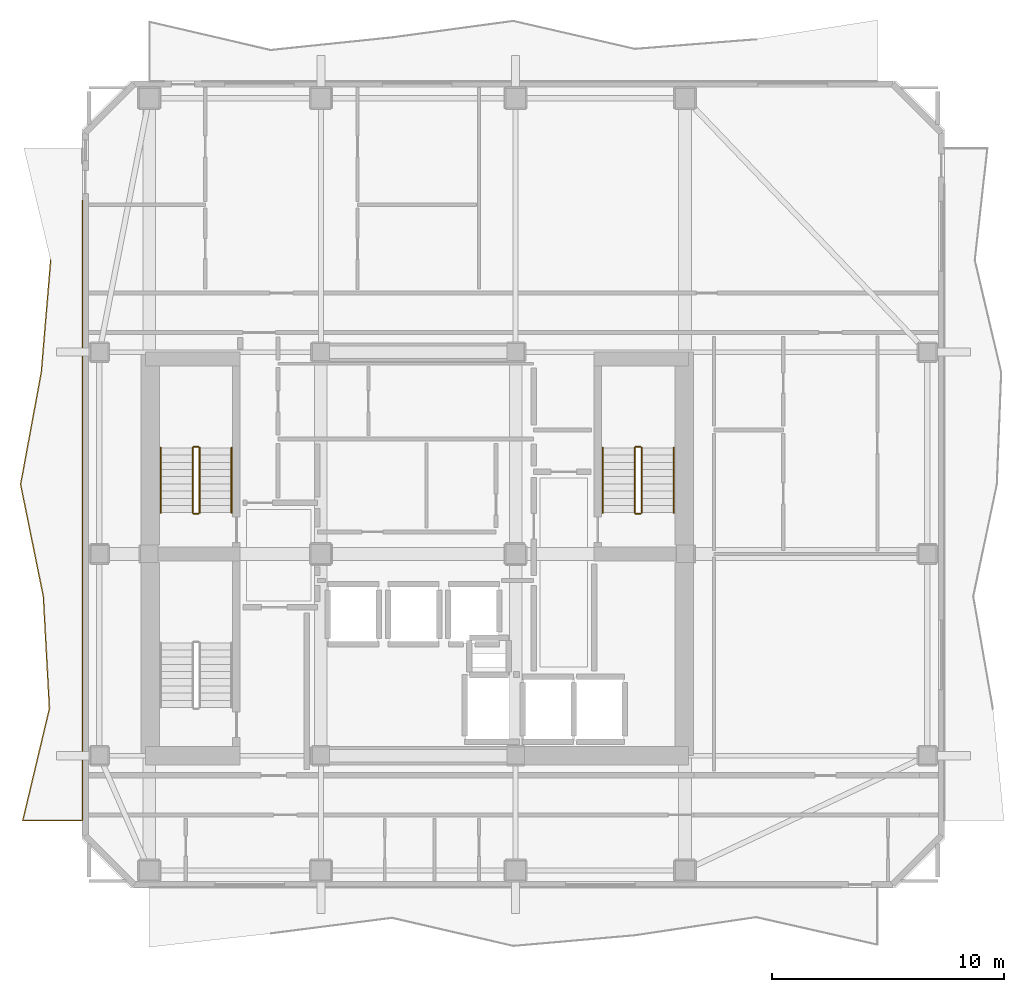
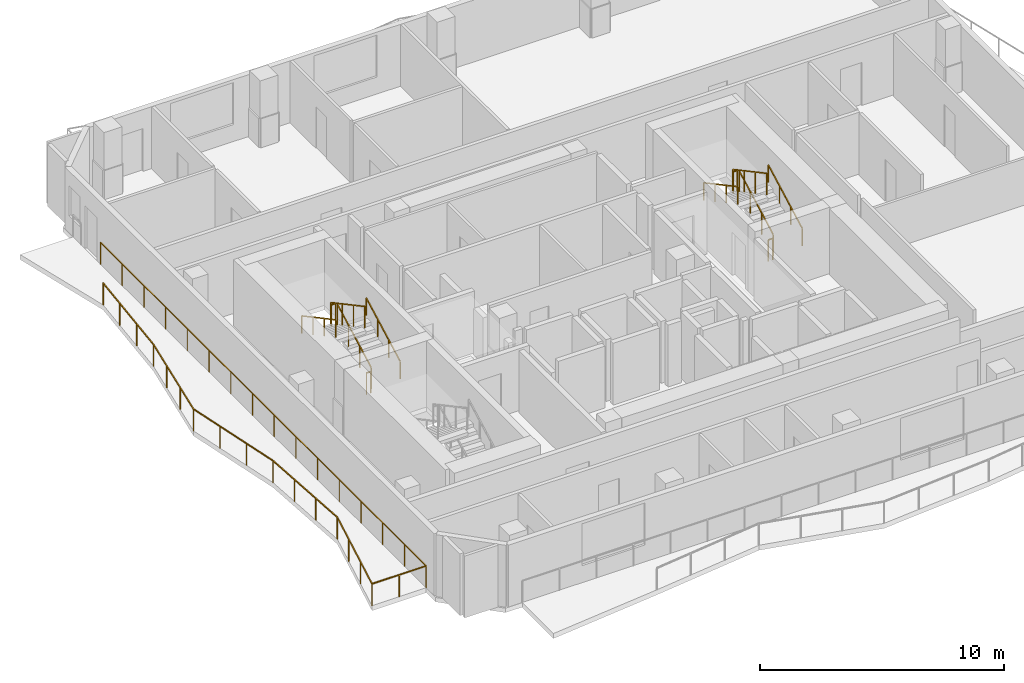
# One storey, part 8 of 9: 13 railings.
"""IFC4 building model written with IfcOpenShell, lengths in metres."""

from ifc_helpers import new_model, si_unit, direction, frame, origin, origin_2d, place, context, subcontext, project, spatial, rectangle, extrude, material, type_object, element, save


model = new_model("IFC4")

# Units and contexts
model_context = context("Model", 3, precision=1e-05, world=origin(), true_north=direction((0.0, 1.0)))
body_context = subcontext(model_context, "Body", "Model", "MODEL_VIEW")
ifc_project = project(units=[si_unit("LENGTHUNIT", "METRE"), si_unit("AREAUNIT", "SQUARE_METRE"), si_unit("VOLUMEUNIT", "CUBIC_METRE"), si_unit("PLANEANGLEUNIT", "RADIAN"), si_unit("MASSUNIT", "GRAM", prefix="KILO")], contexts=[model_context])

# Site, building, storey
site_placement = place(None, origin())
site = spatial("IfcSite", under=ifc_project, at=site_placement, CompositionType="ELEMENT")
building_placement = place(site_placement, origin())
building = spatial("IfcBuilding", under=site, at=building_placement, Name="Solanera Arch Residences", CompositionType="ELEMENT")
storey_placement = place(building_placement, frame((0.0, 0.0, 241.239990234375)))
storey = spatial("IfcBuildingStorey", under=building, at=storey_placement, Name="L70", CompositionType="ELEMENT", Elevation=241.239990234375)

# Railings
ifc_material_1 = material(Name="Steel S355 (ASTM A992 / A572 Grade 50)", Category="steel")
railing_type_1 = type_object("IfcRailingType", Name="Balustrade Railing BL-1100", PredefinedType="BALUSTRADE", material=ifc_material_1)
railing_1_placement = place(storey_placement, frame((9.14990234375, 43.366943359375, 0.0)))
element("IfcRailing", 1, at=railing_1_placement, inside=storey, type_object=railing_type_1, Name="L70 W Balcony Balustrade 1", PredefinedType="BALUSTRADE", context=body_context, shape_type="SweptSolid", body=[
    extrude(rectangle(XDim=0.048095703125, YDim=0.048095703125, at=origin_2d()), frame((0.0, 0.0, 1.09619140625), z_axis=(-0.083695212081, -0.996491400602, 0.0), x_axis=(0.996491400602, -0.083695212081, 0.0)), (0.0, 0.0, 1.0), 4.85107421875),
    extrude(rectangle(XDim=0.048095703125, YDim=0.048095703125, at=origin_2d()), frame((-0.406005859375, -4.833984375, 1.09619140625), z_axis=(-0.181468398912, -0.983396776584, 0.0), x_axis=(0.983396776584, -0.181468398912, 0.0)), (0.0, 0.0, 1.0), 4.91455078125),
    extrude(rectangle(XDim=0.048095703125, YDim=0.048095703125, at=origin_2d()), frame((-1.2978515625, -9.6669921875, 1.09619140625), z_axis=(0.198724118872, -0.980055470154, 0.0), x_axis=(0.980055470154, 0.198724118872, 0.0)), (0.0, 0.0, 1.0), 4.931396484375),
    extrude(rectangle(XDim=0.048095703125, YDim=0.048095703125, at=origin_2d()), frame((-0.31787109375, -14.5, 1.09619140625), z_axis=(0.054112519591, -0.998534844271, 0.0), x_axis=(0.998534844271, 0.054112519591, 0.0)), (0.0, 0.0, 1.0), 4.841064453125),
    extrude(rectangle(XDim=0.048095703125, YDim=0.048095703125, at=origin_2d()), frame((-0.055908203125, -19.333984375, 1.09619140625), z_axis=(-0.231279446452, -0.972887361234, 0.0), x_axis=(0.972887361234, -0.231279446452, 0.0)), (0.0, 0.0, 1.0), 4.9677734375),
    extrude(rectangle(XDim=0.048095703125, YDim=0.048095703125, at=origin_2d()), frame((-1.204833984375, -24.1669921875, 1.09619140625), z_axis=(1.0, 0.0, 0.0), x_axis=(0.0, 1.0, 0.0)), (0.0, 0.0, 1.0), 2.574951171875),
    extrude(rectangle(XDim=0.048095703125, YDim=0.048095703125, at=origin_2d()), frame((1.3701171875, -24.1669921875, 1.09619140625), z_axis=(0.0, 1.0, 0.0), x_axis=(-1.0, 0.0, 0.0)), (0.0, 0.0, 1.0), 26.739990234375),
    extrude(rectangle(XDim=0.0419921875, YDim=0.0419921875, at=origin_2d()), origin(), (0.0, 0.0, 1.0), 1.072021484375),
    extrude(rectangle(XDim=0.0419921875, YDim=0.0419921875, at=origin_2d()), frame((-0.13525390625, -1.611328125, 0.0)), (0.0, 0.0, 1.0), 1.072021484375),
    extrude(rectangle(XDim=0.0419921875, YDim=0.0419921875, at=origin_2d()), frame((-0.270751953125, -3.22265625, 0.0)), (0.0, 0.0, 1.0), 1.072021484375),
    extrude(rectangle(XDim=0.0419921875, YDim=0.0419921875, at=origin_2d()), frame((-0.406005859375, -4.833984375, 0.0)), (0.0, 0.0, 1.0), 1.072021484375),
    extrude(rectangle(XDim=0.0419921875, YDim=0.0419921875, at=origin_2d()), frame((-0.703369140625, -6.445068359375, 0.0)), (0.0, 0.0, 1.0), 1.072021484375),
    extrude(rectangle(XDim=0.0419921875, YDim=0.0419921875, at=origin_2d()), frame((-1.00048828125, -8.055908203125, 0.0)), (0.0, 0.0, 1.0), 1.072021484375),
    extrude(rectangle(XDim=0.0419921875, YDim=0.0419921875, at=origin_2d()), frame((-1.2978515625, -9.6669921875, 0.0)), (0.0, 0.0, 1.0), 1.072021484375),
    extrude(rectangle(XDim=0.0419921875, YDim=0.0419921875, at=origin_2d()), frame((-0.97119140625, -11.278076171875, 0.0)), (0.0, 0.0, 1.0), 1.072021484375),
    extrude(rectangle(XDim=0.0419921875, YDim=0.0419921875, at=origin_2d()), frame((-0.64453125, -12.888916015625, 0.0)), (0.0, 0.0, 1.0), 1.072021484375),
    extrude(rectangle(XDim=0.0419921875, YDim=0.0419921875, at=origin_2d()), frame((-0.31787109375, -14.5, 0.0)), (0.0, 0.0, 1.0), 1.072021484375),
    extrude(rectangle(XDim=0.0419921875, YDim=0.0419921875, at=origin_2d()), frame((-0.23046875, -16.111328125, 0.0)), (0.0, 0.0, 1.0), 1.072021484375),
    extrude(rectangle(XDim=0.0419921875, YDim=0.0419921875, at=origin_2d()), frame((-0.143310546875, -17.72265625, 0.0)), (0.0, 0.0, 1.0), 1.072021484375),
    extrude(rectangle(XDim=0.0419921875, YDim=0.0419921875, at=origin_2d()), frame((-0.055908203125, -19.333984375, 0.0)), (0.0, 0.0, 1.0), 1.072021484375),
    extrude(rectangle(XDim=0.0419921875, YDim=0.0419921875, at=origin_2d()), frame((-0.43896484375, -20.945068359375, 0.0)), (0.0, 0.0, 1.0), 1.072021484375),
    extrude(rectangle(XDim=0.0419921875, YDim=0.0419921875, at=origin_2d()), frame((-0.82177734375, -22.555908203125, 0.0)), (0.0, 0.0, 1.0), 1.072021484375),
    extrude(rectangle(XDim=0.0419921875, YDim=0.0419921875, at=origin_2d()), frame((-1.204833984375, -24.1669921875, 0.0)), (0.0, 0.0, 1.0), 1.072021484375),
    extrude(rectangle(XDim=0.0419921875, YDim=0.0419921875, at=origin_2d()), frame((0.08251953125, -24.1669921875, 0.0)), (0.0, 0.0, 1.0), 1.072021484375),
    extrude(rectangle(XDim=0.0419921875, YDim=0.0419921875, at=origin_2d()), frame((1.3701171875, -24.1669921875, 0.0)), (0.0, 0.0, 1.0), 1.072021484375),
    extrude(rectangle(XDim=0.0419921875, YDim=0.0419921875, at=origin_2d()), frame((1.3701171875, -22.38427734375, 0.0)), (0.0, 0.0, 1.0), 1.072021484375),
    extrude(rectangle(XDim=0.0419921875, YDim=0.0419921875, at=origin_2d()), frame((1.3701171875, -20.6015625, 0.0)), (0.0, 0.0, 1.0), 1.072021484375),
    extrude(rectangle(XDim=0.0419921875, YDim=0.0419921875, at=origin_2d()), frame((1.3701171875, -18.819091796875, 0.0)), (0.0, 0.0, 1.0), 1.072021484375),
    extrude(rectangle(XDim=0.0419921875, YDim=0.0419921875, at=origin_2d()), frame((1.3701171875, -17.036376953125, 0.0)), (0.0, 0.0, 1.0), 1.072021484375),
    extrude(rectangle(XDim=0.0419921875, YDim=0.0419921875, at=origin_2d()), frame((1.3701171875, -15.253662109375, 0.0)), (0.0, 0.0, 1.0), 1.072021484375),
    extrude(rectangle(XDim=0.0419921875, YDim=0.0419921875, at=origin_2d()), frame((1.3701171875, -13.470947265625, 0.0)), (0.0, 0.0, 1.0), 1.072021484375),
    extrude(rectangle(XDim=0.0419921875, YDim=0.0419921875, at=origin_2d()), frame((1.3701171875, -11.688232421875, 0.0)), (0.0, 0.0, 1.0), 1.072021484375),
    extrude(rectangle(XDim=0.0419921875, YDim=0.0419921875, at=origin_2d()), frame((1.3701171875, -9.90576171875, 0.0)), (0.0, 0.0, 1.0), 1.072021484375),
    extrude(rectangle(XDim=0.0419921875, YDim=0.0419921875, at=origin_2d()), frame((1.3701171875, -8.123046875, 0.0)), (0.0, 0.0, 1.0), 1.072021484375),
    extrude(rectangle(XDim=0.0419921875, YDim=0.0419921875, at=origin_2d()), frame((1.3701171875, -6.34033203125, 0.0)), (0.0, 0.0, 1.0), 1.072021484375),
    extrude(rectangle(XDim=0.0419921875, YDim=0.0419921875, at=origin_2d()), frame((1.3701171875, -4.5576171875, 0.0)), (0.0, 0.0, 1.0), 1.072021484375),
    extrude(rectangle(XDim=0.0419921875, YDim=0.0419921875, at=origin_2d()), frame((1.3701171875, -2.77490234375, 0.0)), (0.0, 0.0, 1.0), 1.072021484375),
    extrude(rectangle(XDim=0.0419921875, YDim=0.0419921875, at=origin_2d()), frame((1.3701171875, -0.992431640625, 0.0)), (0.0, 0.0, 1.0), 1.072021484375),
    extrude(rectangle(XDim=0.0419921875, YDim=0.0419921875, at=origin_2d()), frame((1.3701171875, 0.790283203125, 0.0)), (0.0, 0.0, 1.0), 1.072021484375),
    extrude(rectangle(XDim=0.0419921875, YDim=0.0419921875, at=origin_2d()), frame((1.3701171875, 2.572998046875, 0.0)), (0.0, 0.0, 1.0), 1.072021484375),
])
ifc_material_2 = material(Name="Steel S355 (ASTM A992 / A572 Grade 50)", Category="steel")
railing_type_2 = type_object("IfcRailingType", Name="Stair Guardrail GR-1100", PredefinedType="GUARDRAIL", material=ifc_material_2)
railing_2_placement = place(storey_placement, frame((15.570068359375, 32.47998046875, 0.151123046875)))
element("IfcRailing", 2, at=railing_2_placement, inside=storey, type_object=railing_type_2, Name="L70 ST-T1 stair guard 1", PredefinedType="GUARDRAIL", context=body_context, shape_type="SweptSolid", body=[
    extrude(rectangle(XDim=0.048095703125, YDim=0.048095703125, at=origin_2d()), frame((0.0, 0.0, 1.076171875), z_axis=(0.0, 0.881580869306, 0.472033018838), x_axis=(-1.0, 0.0, 0.0)), (0.0, 0.0, 1.0), 3.164794921875),
    extrude(rectangle(XDim=0.0419921875, YDim=0.0419921875, at=origin_2d()), origin(), (0.0, 0.0, 1.0), 1.052001953125),
    extrude(rectangle(XDim=0.0419921875, YDim=0.0419921875, at=origin_2d()), frame((0.0, 0.929931640625, 0.498046875)), (0.0, 0.0, 1.0), 1.052001953125),
    extrude(rectangle(XDim=0.0419921875, YDim=0.0419921875, at=origin_2d()), frame((0.0, 1.860107421875, 0.995849609375)), (0.0, 0.0, 1.0), 1.052001953125),
    extrude(rectangle(XDim=0.0419921875, YDim=0.0419921875, at=origin_2d()), frame((0.0, 2.7900390625, 1.493896484375)), (0.0, 0.0, 1.0), 1.052001953125),
])
railing_3_placement = place(storey_placement, frame((15.52001953125, 35.320068359375, 1.64501953125)))
element("IfcRailing", 3, at=railing_3_placement, inside=storey, type_object=railing_type_2, Name="L70 ST-T1 stair guard 2", PredefinedType="GUARDRAIL", context=body_context, shape_type="SweptSolid", body=[
    extrude(rectangle(XDim=0.048095703125, YDim=0.048095703125, at=origin_2d()), frame((0.0, 0.0, 1.076171875), z_axis=(-1.0, 0.0, 0.0), x_axis=(0.0, -1.0, 0.0)), (0.0, 0.0, 1.0), 0.199951171875),
    extrude(rectangle(XDim=0.0419921875, YDim=0.0419921875, at=origin_2d()), origin(), (0.0, 0.0, 1.0), 1.052001953125),
    extrude(rectangle(XDim=0.0419921875, YDim=0.0419921875, at=origin_2d()), frame((-0.199951171875, 0.0, 0.0)), (0.0, 0.0, 1.0), 1.052001953125),
])
railing_4_placement = place(storey_placement, frame((15.27001953125, 35.27001953125, 1.81103515625)))
element("IfcRailing", 4, at=railing_4_placement, inside=storey, type_object=railing_type_2, Name="L70 ST-T1 stair guard 3", PredefinedType="GUARDRAIL", context=body_context, shape_type="SweptSolid", body=[
    extrude(rectangle(XDim=0.048095703125, YDim=0.048095703125, at=origin_2d()), frame((0.0, 0.0, 1.076171875), z_axis=(0.0, -0.881580869306, 0.472033018838), x_axis=(1.0, 0.0, 0.0)), (0.0, 0.0, 1.0), 3.164794921875),
    extrude(rectangle(XDim=0.0419921875, YDim=0.0419921875, at=origin_2d()), origin(), (0.0, 0.0, 1.0), 1.052001953125),
    extrude(rectangle(XDim=0.0419921875, YDim=0.0419921875, at=origin_2d()), frame((0.0, -0.929931640625, 0.498046875)), (0.0, 0.0, 1.0), 1.052001953125),
    extrude(rectangle(XDim=0.0419921875, YDim=0.0419921875, at=origin_2d()), frame((0.0, -1.860107421875, 0.995849609375)), (0.0, 0.0, 1.0), 1.052001953125),
    extrude(rectangle(XDim=0.0419921875, YDim=0.0419921875, at=origin_2d()), frame((0.0, -2.7900390625, 1.493896484375)), (0.0, 0.0, 1.0), 1.052001953125),
])
railing_5_placement = place(storey_placement, frame((15.52001953125, 32.429931640625, -0.014892578125)))
element("IfcRailing", 5, at=railing_5_placement, inside=storey, type_object=railing_type_2, Name="L70 ST-T1 stair guard 4", PredefinedType="GUARDRAIL", context=body_context, shape_type="SweptSolid", body=[
    extrude(rectangle(XDim=0.048095703125, YDim=0.048095703125, at=origin_2d()), frame((0.0, 0.0, 1.076171875), z_axis=(-1.0, 0.0, 0.0), x_axis=(0.0, -1.0, 0.0)), (0.0, 0.0, 1.0), 0.199951171875),
    extrude(rectangle(XDim=0.0419921875, YDim=0.0419921875, at=origin_2d()), origin(), (0.0, 0.0, 1.0), 1.052001953125),
    extrude(rectangle(XDim=0.0419921875, YDim=0.0419921875, at=origin_2d()), frame((-0.199951171875, 0.0, 0.0)), (0.0, 0.0, 1.0), 1.052001953125),
])
railing_6_placement = place(storey_placement, frame((34.6298828125, 32.47998046875, 0.151123046875)))
element("IfcRailing", 6, at=railing_6_placement, inside=storey, type_object=railing_type_2, Name="L70 ST-T2 stair guard 1", PredefinedType="GUARDRAIL", context=body_context, shape_type="SweptSolid", body=[
    extrude(rectangle(XDim=0.048095703125, YDim=0.048095703125, at=origin_2d()), frame((0.0, 0.0, 1.076171875), z_axis=(0.0, 0.881580869306, 0.472033018838), x_axis=(-1.0, 0.0, 0.0)), (0.0, 0.0, 1.0), 3.164794921875),
    extrude(rectangle(XDim=0.0419921875, YDim=0.0419921875, at=origin_2d()), origin(), (0.0, 0.0, 1.0), 1.052001953125),
    extrude(rectangle(XDim=0.0419921875, YDim=0.0419921875, at=origin_2d()), frame((0.0, 0.929931640625, 0.498046875)), (0.0, 0.0, 1.0), 1.052001953125),
    extrude(rectangle(XDim=0.0419921875, YDim=0.0419921875, at=origin_2d()), frame((0.0, 1.860107421875, 0.995849609375)), (0.0, 0.0, 1.0), 1.052001953125),
    extrude(rectangle(XDim=0.0419921875, YDim=0.0419921875, at=origin_2d()), frame((0.0, 2.7900390625, 1.493896484375)), (0.0, 0.0, 1.0), 1.052001953125),
])
railing_7_placement = place(storey_placement, frame((34.580078125, 35.320068359375, 1.64501953125)))
element("IfcRailing", 7, at=railing_7_placement, inside=storey, type_object=railing_type_2, Name="L70 ST-T2 stair guard 2", PredefinedType="GUARDRAIL", context=body_context, shape_type="SweptSolid", body=[
    extrude(rectangle(XDim=0.048095703125, YDim=0.048095703125, at=origin_2d()), frame((0.0, 0.0, 1.076171875), z_axis=(-1.0, 0.0, 0.0), x_axis=(0.0, -1.0, 0.0)), (0.0, 0.0, 1.0), 0.2001953125),
    extrude(rectangle(XDim=0.0419921875, YDim=0.0419921875, at=origin_2d()), origin(), (0.0, 0.0, 1.0), 1.052001953125),
    extrude(rectangle(XDim=0.0419921875, YDim=0.0419921875, at=origin_2d()), frame((-0.2001953125, 0.0, 0.0)), (0.0, 0.0, 1.0), 1.052001953125),
])
railing_8_placement = place(storey_placement, frame((34.330078125, 35.27001953125, 1.81103515625)))
element("IfcRailing", 8, at=railing_8_placement, inside=storey, type_object=railing_type_2, Name="L70 ST-T2 stair guard 3", PredefinedType="GUARDRAIL", context=body_context, shape_type="SweptSolid", body=[
    extrude(rectangle(XDim=0.048095703125, YDim=0.048095703125, at=origin_2d()), frame((0.0, 0.0, 1.076171875), z_axis=(0.0, -0.881580869306, 0.472033018838), x_axis=(1.0, 0.0, 0.0)), (0.0, 0.0, 1.0), 3.164794921875),
    extrude(rectangle(XDim=0.0419921875, YDim=0.0419921875, at=origin_2d()), origin(), (0.0, 0.0, 1.0), 1.052001953125),
    extrude(rectangle(XDim=0.0419921875, YDim=0.0419921875, at=origin_2d()), frame((0.0, -0.929931640625, 0.498046875)), (0.0, 0.0, 1.0), 1.052001953125),
    extrude(rectangle(XDim=0.0419921875, YDim=0.0419921875, at=origin_2d()), frame((0.0, -1.860107421875, 0.995849609375)), (0.0, 0.0, 1.0), 1.052001953125),
    extrude(rectangle(XDim=0.0419921875, YDim=0.0419921875, at=origin_2d()), frame((0.0, -2.7900390625, 1.493896484375)), (0.0, 0.0, 1.0), 1.052001953125),
])
railing_9_placement = place(storey_placement, frame((34.580078125, 32.429931640625, -0.014892578125)))
element("IfcRailing", 9, at=railing_9_placement, inside=storey, type_object=railing_type_2, Name="L70 ST-T2 stair guard 4", PredefinedType="GUARDRAIL", context=body_context, shape_type="SweptSolid", body=[
    extrude(rectangle(XDim=0.048095703125, YDim=0.048095703125, at=origin_2d()), frame((0.0, 0.0, 1.076171875), z_axis=(-1.0, 0.0, 0.0), x_axis=(0.0, -1.0, 0.0)), (0.0, 0.0, 1.0), 0.2001953125),
    extrude(rectangle(XDim=0.0419921875, YDim=0.0419921875, at=origin_2d()), origin(), (0.0, 0.0, 1.0), 1.052001953125),
    extrude(rectangle(XDim=0.0419921875, YDim=0.0419921875, at=origin_2d()), frame((-0.2001953125, 0.0, 0.0)), (0.0, 0.0, 1.0), 1.052001953125),
])
ifc_material_3 = material(Name="Steel S355 (ASTM A992 / A572 Grade 50)", Category="steel")
railing_type_3 = type_object("IfcRailingType", Name="Stair Wall Handrail HR-920", PredefinedType="HANDRAIL", material=ifc_material_3)
railing_10_placement = place(storey_placement, frame((16.949951171875, 32.47998046875, 0.166015625)))
element("IfcRailing", 10, at=railing_10_placement, inside=storey, type_object=railing_type_3, Name="L70 ST-T1 stair handrail 1", PredefinedType="HANDRAIL", context=body_context, shape_type="SweptSolid", body=[
    extrude(rectangle(XDim=0.048095703125, YDim=0.048095703125, at=origin_2d()), frame((0.0, 0.0, 0.8759765625), z_axis=(0.0, 0.881580869306, 0.472033018838), x_axis=(-1.0, 0.0, 0.0)), (0.0, 0.0, 1.0), 3.164794921875),
    extrude(rectangle(XDim=0.0419921875, YDim=0.0419921875, at=origin_2d()), origin(), (0.0, 0.0, 1.0), 0.851806640625),
    extrude(rectangle(XDim=0.0419921875, YDim=0.0419921875, at=origin_2d()), frame((0.0, 0.929931640625, 0.498046875)), (0.0, 0.0, 1.0), 0.851806640625),
    extrude(rectangle(XDim=0.0419921875, YDim=0.0419921875, at=origin_2d()), frame((0.0, 1.860107421875, 0.995849609375)), (0.0, 0.0, 1.0), 0.851806640625),
    extrude(rectangle(XDim=0.0419921875, YDim=0.0419921875, at=origin_2d()), frame((0.0, 2.7900390625, 1.493896484375)), (0.0, 0.0, 1.0), 0.851806640625),
])
railing_11_placement = place(storey_placement, frame((13.889892578125, 35.27001953125, 1.825927734375)))
element("IfcRailing", 11, at=railing_11_placement, inside=storey, type_object=railing_type_3, Name="L70 ST-T1 stair handrail 2", PredefinedType="HANDRAIL", context=body_context, shape_type="SweptSolid", body=[
    extrude(rectangle(XDim=0.048095703125, YDim=0.048095703125, at=origin_2d()), frame((0.0, 0.0, 0.8759765625), z_axis=(0.0, -0.881548766853, 0.472092969298), x_axis=(1.0, 0.0, 0.0)), (0.0, 0.0, 1.0), 3.1650390625),
    extrude(rectangle(XDim=0.0419921875, YDim=0.0419921875, at=origin_2d()), origin(), (0.0, 0.0, 1.0), 0.851806640625),
    extrude(rectangle(XDim=0.0419921875, YDim=0.0419921875, at=origin_2d()), frame((0.0, -0.929931640625, 0.498046875)), (0.0, 0.0, 1.0), 0.851806640625),
    extrude(rectangle(XDim=0.0419921875, YDim=0.0419921875, at=origin_2d()), frame((0.0, -1.860107421875, 0.99609375)), (0.0, 0.0, 1.0), 0.851806640625),
    extrude(rectangle(XDim=0.0419921875, YDim=0.0419921875, at=origin_2d()), frame((0.0, -2.7900390625, 1.494140625)), (0.0, 0.0, 1.0), 0.851806640625),
])
railing_12_placement = place(storey_placement, frame((36.010009765625, 32.47998046875, 0.166015625)))
element("IfcRailing", 12, at=railing_12_placement, inside=storey, type_object=railing_type_3, Name="L70 ST-T2 stair handrail 1", PredefinedType="HANDRAIL", context=body_context, shape_type="SweptSolid", body=[
    extrude(rectangle(XDim=0.048095703125, YDim=0.048095703125, at=origin_2d()), frame((0.0, 0.0, 0.8759765625), z_axis=(0.0, 0.881580869306, 0.472033018838), x_axis=(-1.0, 0.0, 0.0)), (0.0, 0.0, 1.0), 3.164794921875),
    extrude(rectangle(XDim=0.0419921875, YDim=0.0419921875, at=origin_2d()), origin(), (0.0, 0.0, 1.0), 0.851806640625),
    extrude(rectangle(XDim=0.0419921875, YDim=0.0419921875, at=origin_2d()), frame((0.0, 0.929931640625, 0.498046875)), (0.0, 0.0, 1.0), 0.851806640625),
    extrude(rectangle(XDim=0.0419921875, YDim=0.0419921875, at=origin_2d()), frame((0.0, 1.860107421875, 0.995849609375)), (0.0, 0.0, 1.0), 0.851806640625),
    extrude(rectangle(XDim=0.0419921875, YDim=0.0419921875, at=origin_2d()), frame((0.0, 2.7900390625, 1.493896484375)), (0.0, 0.0, 1.0), 0.851806640625),
])
railing_13_placement = place(storey_placement, frame((32.949951171875, 35.27001953125, 1.825927734375)))
element("IfcRailing", 13, at=railing_13_placement, inside=storey, type_object=railing_type_3, Name="L70 ST-T2 stair handrail 2", PredefinedType="HANDRAIL", context=body_context, shape_type="SweptSolid", body=[
    extrude(rectangle(XDim=0.048095703125, YDim=0.048095703125, at=origin_2d()), frame((0.0, 0.0, 0.8759765625), z_axis=(0.0, -0.881548766853, 0.472092969298), x_axis=(1.0, 0.0, 0.0)), (0.0, 0.0, 1.0), 3.1650390625),
    extrude(rectangle(XDim=0.0419921875, YDim=0.0419921875, at=origin_2d()), origin(), (0.0, 0.0, 1.0), 0.851806640625),
    extrude(rectangle(XDim=0.0419921875, YDim=0.0419921875, at=origin_2d()), frame((0.0, -0.929931640625, 0.498046875)), (0.0, 0.0, 1.0), 0.851806640625),
    extrude(rectangle(XDim=0.0419921875, YDim=0.0419921875, at=origin_2d()), frame((0.0, -1.860107421875, 0.99609375)), (0.0, 0.0, 1.0), 0.851806640625),
    extrude(rectangle(XDim=0.0419921875, YDim=0.0419921875, at=origin_2d()), frame((0.0, -2.7900390625, 1.494140625)), (0.0, 0.0, 1.0), 0.851806640625),
])

save(model, "model.ifc")
